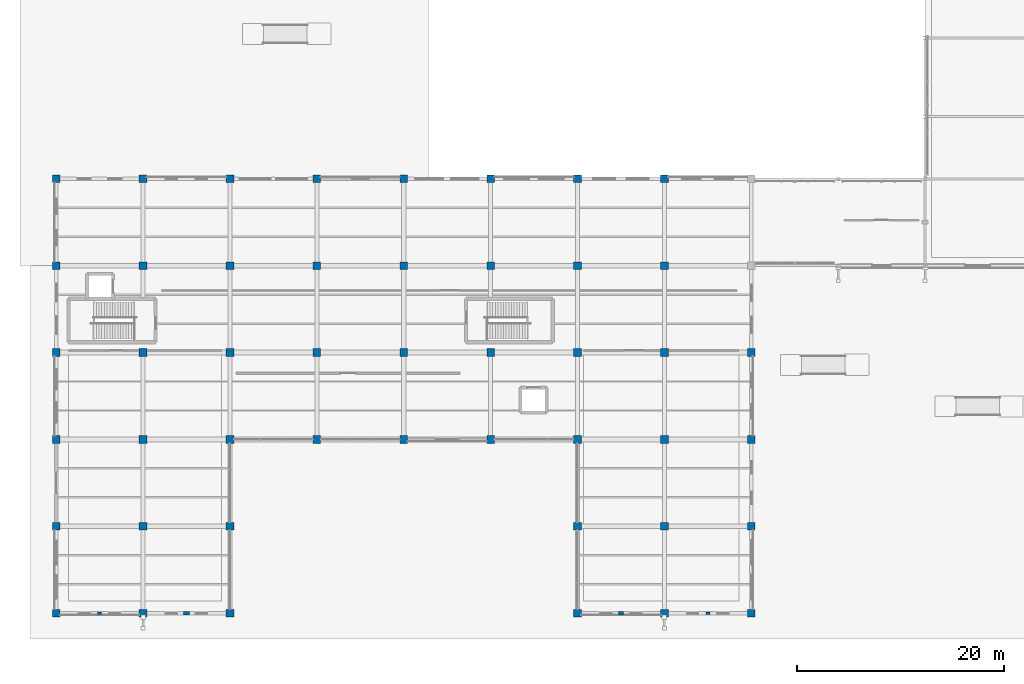
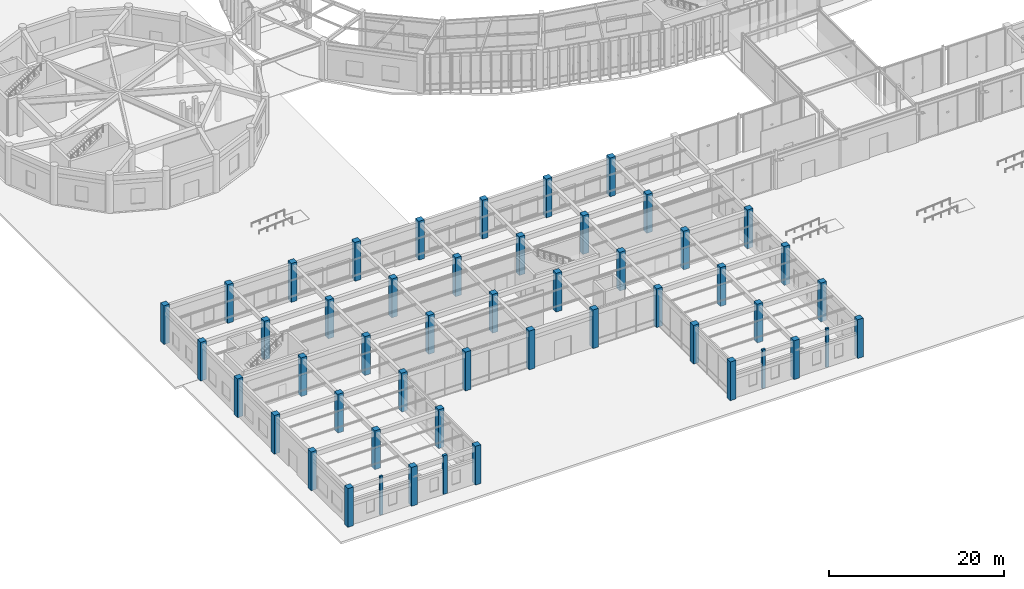
# One storey, part 1 of 157: 50 columns.
"""IFC4 building model written with IfcOpenShell, lengths in metres."""

from ifc_helpers import new_model, si_unit, direction, frame, origin, origin_2d, place, context, subcontext, project, spatial, rectangle, extrude, material, material_profile, profile_set, type_object, element, save


model = new_model("IFC4")

# Units and contexts
model_context = context("Model", 3, precision=1e-05, world=origin(), true_north=direction((0.0, 1.0)))
body_context = subcontext(model_context, "Body", "Model", "MODEL_VIEW")
ifc_project = project(units=[si_unit("LENGTHUNIT", "METRE"), si_unit("AREAUNIT", "SQUARE_METRE"), si_unit("VOLUMEUNIT", "CUBIC_METRE"), si_unit("PLANEANGLEUNIT", "RADIAN"), si_unit("MASSUNIT", "GRAM", prefix="KILO"), si_unit("THERMODYNAMICTEMPERATUREUNIT", "KELVIN"), si_unit("POWERUNIT", "WATT")], contexts=[model_context])

# Site, building, storey
site_placement = place(None, origin())
site = spatial("IfcSite", under=ifc_project, at=site_placement, CompositionType="ELEMENT")
building_placement = place(site_placement, origin())
building = spatial("IfcBuilding", under=site, at=building_placement, Name="Darbajah Civic Hall", CompositionType="ELEMENT")
storey_placement = place(building_placement, origin())
storey = spatial("IfcBuildingStorey", under=building, at=storey_placement, Name="L00", CompositionType="ELEMENT", Elevation=0.0)

# Columns
ifc_material_1 = material(Name="Concrete C45/55", Category="concrete")
ifc_material_profile_1 = material_profile(ifc_material_1, rectangle(XDim=0.39990234375, YDim=0.25, at=origin_2d()), Name="PILASTER 400x250")
ifc_profile_set_1 = profile_set([ifc_material_profile_1], Name="Concrete C45/55")
column_type_1 = type_object("IfcColumnType", Name="PILASTER 400x250", PredefinedType="PILASTER", material=ifc_profile_set_1)
for number, where, z_axis, x_axis, name in (
    (1, (4.199951171875, 0.0, 0.0), (0.0, 0.0, 1.0), (1.0, 0.0, 0.0), "L00 column PL-400"),
    (2, (63.0, 0.0, 0.0), (0.0, 0.0, 1.0), (1.0, 0.0, 0.0), "L00 column PL-400"),
):
    element("IfcColumn", number, at=place(storey_placement, frame(where, z_axis=z_axis, x_axis=x_axis)), inside=storey, type_object=column_type_1, Name=name, PredefinedType="PILASTER", context=body_context, shape_type="SweptSolid", body=[
        extrude(rectangle(XDim=0.39990234375, YDim=0.25, at=origin_2d()), origin(), (0.0, 0.0, 1.0), 5.39990234375),
    ])
ifc_material_profile_2 = material_profile(ifc_material_1, rectangle(XDim=0.449951171875, YDim=0.300048828125, at=origin_2d()), Name="PILASTER 450x300")
ifc_profile_set_2 = profile_set([ifc_material_profile_2], Name="Concrete C45/55")
column_type_2 = type_object("IfcColumnType", Name="PILASTER 450x300", PredefinedType="PILASTER", material=ifc_profile_set_2)
column_1_placement = place(storey_placement, frame((54.60009765625, 0.0, 0.0), z_axis=(0.0, 0.0, 1.0), x_axis=(1.0, 0.0, 0.0)))
element("IfcColumn", 3, at=column_1_placement, inside=storey, type_object=column_type_2, Name="L00 column PL-450", PredefinedType="PILASTER", context=body_context, shape_type="SweptSolid", body=[
    extrude(rectangle(XDim=0.449951171875, YDim=0.300048828125, at=origin_2d()), origin(), (0.0, 0.0, 1.0), 5.39990234375),
])
ifc_material_profile_3 = material_profile(ifc_material_1, rectangle(XDim=0.550048828125, YDim=0.35009765625, at=origin_2d()), Name="PILASTER 550x350")
ifc_profile_set_3 = profile_set([ifc_material_profile_3], Name="Concrete C45/55")
column_type_3 = type_object("IfcColumnType", Name="PILASTER 550x350", PredefinedType="PILASTER", material=ifc_profile_set_3)
column_2_placement = place(storey_placement, frame((12.60009765625, 0.0, 0.0), z_axis=(0.0, 0.0, 1.0), x_axis=(1.0, 0.0, 0.0)))
element("IfcColumn", 4, at=column_2_placement, inside=storey, type_object=column_type_3, Name="L00 column PL-550", PredefinedType="PILASTER", context=body_context, shape_type="SweptSolid", body=[
    extrude(rectangle(XDim=0.550048828125, YDim=0.35009765625, at=origin_2d()), origin(), (0.0, 0.0, 1.0), 5.39990234375),
])
ifc_material_2 = material(Name="Concrete C50/60", Category="concrete")
ifc_material_profile_4 = material_profile(ifc_material_2, rectangle(XDim=0.75, YDim=0.75, at=origin_2d()), Name="RC COL 750x750")
ifc_profile_set_4 = profile_set([ifc_material_profile_4], Name="Concrete C50/60")
column_type_4 = type_object("IfcColumnType", Name="RC COL 750x750", PredefinedType="COLUMN", material=ifc_profile_set_4)
for number, where, z_axis, x_axis, name in (
    (5, (0.0, 0.0, 0.0), (0.0, 0.0, 1.0), (1.0, 0.0, 0.0), "L00 column C-RC750"),
    (6, (0.0, 8.39990234375, 0.0), (0.0, 0.0, 1.0), (1.0, 0.0, 0.0), "L00 column C-RC750"),
    (7, (0.0, 16.800048828125, 0.0), (0.0, 0.0, 1.0), (1.0, 0.0, 0.0), "L00 column C-RC750"),
    (8, (0.0, 25.199951171875, 0.0), (0.0, 0.0, 1.0), (1.0, 0.0, 0.0), "L00 column C-RC750"),
    (9, (0.0, 33.60009765625, 0.0), (0.0, 0.0, 1.0), (1.0, 0.0, 0.0), "L00 column C-RC750"),
    (10, (0.0, 42.0, 0.0), (0.0, 0.0, 1.0), (1.0, 0.0, 0.0), "L00 column C-RC750"),
    (11, (8.39990234375, 0.0, 0.0), (0.0, 0.0, 1.0), (1.0, 0.0, 0.0), "L00 column C-RC750"),
    (12, (8.39990234375, 8.39990234375, 0.0), (0.0, 0.0, 1.0), (1.0, 0.0, 0.0), "L00 column C-RC750"),
    (13, (8.39990234375, 16.800048828125, 0.0), (0.0, 0.0, 1.0), (1.0, 0.0, 0.0), "L00 column C-RC750"),
    (14, (8.39990234375, 25.199951171875, 0.0), (0.0, 0.0, 1.0), (1.0, 0.0, 0.0), "L00 column C-RC750"),
    (15, (8.39990234375, 33.60009765625, 0.0), (0.0, 0.0, 1.0), (1.0, 0.0, 0.0), "L00 column C-RC750"),
    (16, (8.39990234375, 42.0, 0.0), (0.0, 0.0, 1.0), (1.0, 0.0, 0.0), "L00 column C-RC750"),
    (17, (16.800048828125, 0.0, 0.0), (0.0, 0.0, 1.0), (1.0, 0.0, 0.0), "L00 column C-RC750"),
    (18, (16.800048828125, 8.39990234375, 0.0), (0.0, 0.0, 1.0), (1.0, 0.0, 0.0), "L00 column C-RC750"),
    (19, (16.800048828125, 16.800048828125, 0.0), (0.0, 0.0, 1.0), (1.0, 0.0, 0.0), "L00 column C-RC750"),
    (20, (16.800048828125, 25.199951171875, 0.0), (0.0, 0.0, 1.0), (1.0, 0.0, 0.0), "L00 column C-RC750"),
    (21, (16.800048828125, 33.60009765625, 0.0), (0.0, 0.0, 1.0), (1.0, 0.0, 0.0), "L00 column C-RC750"),
    (22, (16.800048828125, 42.0, 0.0), (0.0, 0.0, 1.0), (1.0, 0.0, 0.0), "L00 column C-RC750"),
    (23, (25.199951171875, 16.800048828125, 0.0), (0.0, 0.0, 1.0), (1.0, 0.0, 0.0), "L00 column C-RC750"),
    (24, (25.199951171875, 25.199951171875, 0.0), (0.0, 0.0, 1.0), (1.0, 0.0, 0.0), "L00 column C-RC750"),
    (25, (25.199951171875, 33.60009765625, 0.0), (0.0, 0.0, 1.0), (1.0, 0.0, 0.0), "L00 column C-RC750"),
    (26, (25.199951171875, 42.0, 0.0), (0.0, 0.0, 1.0), (1.0, 0.0, 0.0), "L00 column C-RC750"),
    (27, (33.60009765625, 16.800048828125, 0.0), (0.0, 0.0, 1.0), (1.0, 0.0, 0.0), "L00 column C-RC750"),
    (28, (33.60009765625, 25.199951171875, 0.0), (0.0, 0.0, 1.0), (1.0, 0.0, 0.0), "L00 column C-RC750"),
    (29, (33.60009765625, 33.60009765625, 0.0), (0.0, 0.0, 1.0), (1.0, 0.0, 0.0), "L00 column C-RC750"),
    (30, (33.60009765625, 42.0, 0.0), (0.0, 0.0, 1.0), (1.0, 0.0, 0.0), "L00 column C-RC750"),
    (31, (42.0, 16.800048828125, 0.0), (0.0, 0.0, 1.0), (1.0, 0.0, 0.0), "L00 column C-RC750"),
    (32, (42.0, 25.199951171875, 0.0), (0.0, 0.0, 1.0), (1.0, 0.0, 0.0), "L00 column C-RC750"),
    (33, (42.0, 33.60009765625, 0.0), (0.0, 0.0, 1.0), (1.0, 0.0, 0.0), "L00 column C-RC750"),
    (34, (42.0, 42.0, 0.0), (0.0, 0.0, 1.0), (1.0, 0.0, 0.0), "L00 column C-RC750"),
    (35, (50.39990234375, 0.0, 0.0), (0.0, 0.0, 1.0), (1.0, 0.0, 0.0), "L00 column C-RC750"),
    (36, (50.39990234375, 8.39990234375, 0.0), (0.0, 0.0, 1.0), (1.0, 0.0, 0.0), "L00 column C-RC750"),
    (37, (50.39990234375, 16.800048828125, 0.0), (0.0, 0.0, 1.0), (1.0, 0.0, 0.0), "L00 column C-RC750"),
    (38, (50.39990234375, 25.199951171875, 0.0), (0.0, 0.0, 1.0), (1.0, 0.0, 0.0), "L00 column C-RC750"),
    (39, (50.39990234375, 33.60009765625, 0.0), (0.0, 0.0, 1.0), (1.0, 0.0, 0.0), "L00 column C-RC750"),
    (40, (50.39990234375, 42.0, 0.0), (0.0, 0.0, 1.0), (1.0, 0.0, 0.0), "L00 column C-RC750"),
    (41, (58.800048828125, 0.0, 0.0), (0.0, 0.0, 1.0), (1.0, 0.0, 0.0), "L00 column C-RC750"),
    (42, (58.800048828125, 8.39990234375, 0.0), (0.0, 0.0, 1.0), (1.0, 0.0, 0.0), "L00 column C-RC750"),
    (43, (58.800048828125, 16.800048828125, 0.0), (0.0, 0.0, 1.0), (1.0, 0.0, 0.0), "L00 column C-RC750"),
    (44, (58.800048828125, 25.199951171875, 0.0), (0.0, 0.0, 1.0), (1.0, 0.0, 0.0), "L00 column C-RC750"),
    (45, (58.800048828125, 33.60009765625, 0.0), (0.0, 0.0, 1.0), (1.0, 0.0, 0.0), "L00 column C-RC750"),
    (46, (58.800048828125, 42.0, 0.0), (0.0, 0.0, 1.0), (1.0, 0.0, 0.0), "L00 column C-RC750"),
    (47, (67.199951171875, 0.0, 0.0), (0.0, 0.0, 1.0), (1.0, 0.0, 0.0), "L00 column C-RC750"),
    (48, (67.199951171875, 8.39990234375, 0.0), (0.0, 0.0, 1.0), (1.0, 0.0, 0.0), "L00 column C-RC750"),
    (49, (67.199951171875, 16.800048828125, 0.0), (0.0, 0.0, 1.0), (1.0, 0.0, 0.0), "L00 column C-RC750"),
    (50, (67.199951171875, 25.199951171875, 0.0), (0.0, 0.0, 1.0), (1.0, 0.0, 0.0), "L00 column C-RC750"),
):
    element("IfcColumn", number, at=place(storey_placement, frame(where, z_axis=z_axis, x_axis=x_axis)), inside=storey, type_object=column_type_4, Name=name, PredefinedType="COLUMN", context=body_context, shape_type="SweptSolid", body=[
        extrude(rectangle(XDim=0.75, YDim=0.75, at=origin_2d()), origin(), (0.0, 0.0, 1.0), 5.39990234375),
    ])

save(model, "model.ifc")
